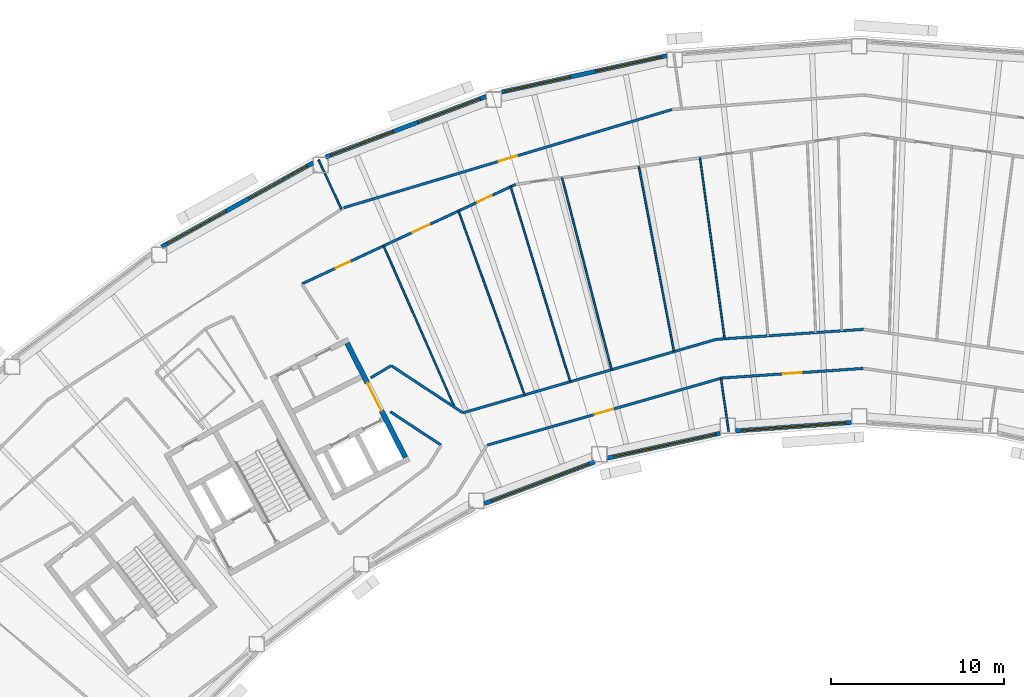
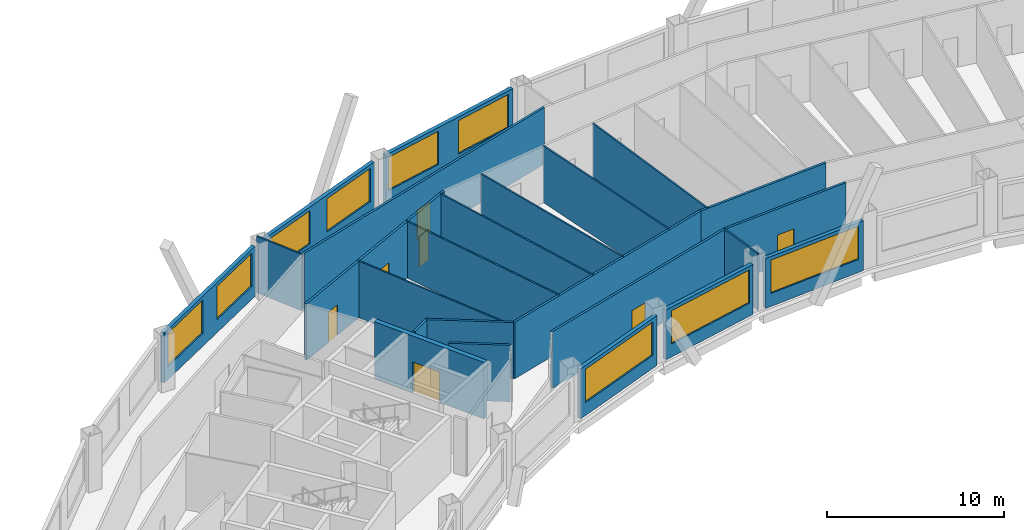
# One storey, part 7 of 14: 24 walls, 9 windows, 7 doors, 16 openings.
"""IFC4 building model written with IfcOpenShell, lengths in metres."""

from ifc_helpers import new_model, si_unit, direction, frame, frame_2d, origin, place, context, subcontext, project, spatial, rectangle, extrude, material, layer, layer_set, type_object, element, fill, save


model = new_model("IFC4")

# Units and contexts
model_context = context("Model", 3, precision=1e-05, world=origin(), true_north=direction((0.0, 1.0)))
body_context = subcontext(model_context, "Body", "Model", "MODEL_VIEW")
ifc_project = project(units=[si_unit("LENGTHUNIT", "METRE"), si_unit("AREAUNIT", "SQUARE_METRE"), si_unit("VOLUMEUNIT", "CUBIC_METRE"), si_unit("PLANEANGLEUNIT", "RADIAN"), si_unit("MASSUNIT", "GRAM", prefix="KILO")], contexts=[model_context])

# Site, building, storey
site_placement = place(None, origin())
site = spatial("IfcSite", under=ifc_project, at=site_placement, CompositionType="ELEMENT")
building_placement = place(site_placement, origin())
building = spatial("IfcBuilding", under=site, at=building_placement, Name="Tuul Gate Civic Tower", CompositionType="ELEMENT")
storey_placement = place(building_placement, frame((0.0, 0.0, 217.89990234375)))
storey = spatial("IfcBuildingStorey", under=building, at=storey_placement, Name="Level 49", CompositionType="ELEMENT", Elevation=217.89990234375)

# Wall, opening, door
ifc_material_1 = material(Name="Gypsum board partition")
ifc_layer_1 = layer(ifc_material_1, 0.14990234375)
ifc_layer_set_1 = layer_set([ifc_layer_1], Name="Gypsum board partition")
wall_type_1 = type_object("IfcWallType", Name="Corridor wall P150", PredefinedType="PARTITIONING", material=ifc_layer_set_1)
wall_1_placement = place(storey_placement, frame((-23.810302734375, 9.249267578125, 0.0), z_axis=(0.0, 0.0, 1.0), x_axis=(0.958034617298, 0.286652528436, 0.0)))
wall_1 = element("IfcWall", 1, at=wall_1_placement, inside=storey, type_object=wall_type_1, Name="p013", PredefinedType="PARTITIONING", context=body_context, shape_type="SweptSolid", body=[
    extrude(rectangle(XDim=19.77978515625, YDim=0.14990234375, at=frame_2d((9.889892578125, 0.0))), origin(), (0.0, 0.0, 1.0), 3.900146484375),
])
opening_1_placement = place(wall_1_placement, frame((9.33984375, 0.0, 0.0)))
opening_1 = element("IfcOpeningElement", 2, at=opening_1_placement, cuts=wall_1, Name="Opening R-D04", PredefinedType="OPENING", context=body_context, shape_type="SweptSolid", body=[
    extrude(rectangle(XDim=1.10009765625, YDim=2.10009765625, at=frame_2d((0.550048828125, 1.050048828125))), frame((0.0, 0.0849609375, 0.0), z_axis=(0.0, -1.0, 0.0), x_axis=(1.0, 0.0, 0.0)), (0.0, 0.0, 1.0), 0.169921875),
])
ifc_material_2 = material(Name="Timber door leaf", Category="wood")
door_type_1 = type_object("IfcDoorType", Name="Door D11", OperationType="NOTDEFINED", PredefinedType="DOOR", material=ifc_material_2)
door_1_placement = place(opening_1_placement, origin())
door_1 = element("IfcDoor", 3, at=door_1_placement, inside=storey, type_object=door_type_1, Name="Door R-D04", OperationType="SINGLE_SWING_RIGHT", OverallHeight=2.10009765625, OverallWidth=1.10009765625, PredefinedType="DOOR", context=body_context, shape_type="SweptSolid", body=[
    extrude(rectangle(XDim=1.10009765625, YDim=2.10009765625, at=frame_2d((0.550048828125, 1.050048828125))), frame((0.0, 0.02490234375, 0.0), z_axis=(0.0, -1.0, 0.0), x_axis=(1.0, 0.0, 0.0)), (0.0, 0.0, 1.0), 0.050048828125),
])
fill(opening_1, door_1)

wall_2_placement = place(storey_placement, frame((-15.534912109375, -4.460205078125, 0.0), z_axis=(0.0, 0.0, 1.0), x_axis=(0.961375307867, 0.275240835311, 0.0)))
wall_2 = element("IfcWall", 4, at=wall_2_placement, inside=storey, type_object=wall_type_1, Name="p037", PredefinedType="PARTITIONING", context=body_context, shape_type="SweptSolid", body=[
    extrude(rectangle(XDim=14.0830078125, YDim=0.14990234375, at=frame_2d((7.04150390625, 0.0))), origin(), (0.0, 0.0, 1.0), 3.900146484375),
])
opening_2_placement = place(wall_2_placement, frame((6.47265625, 0.0, 0.0)))
opening_2 = element("IfcOpeningElement", 5, at=opening_2_placement, cuts=wall_2, Name="Opening R-D10", PredefinedType="OPENING", context=body_context, shape_type="SweptSolid", body=[
    extrude(rectangle(XDim=1.10009765625, YDim=2.10009765625, at=frame_2d((0.550048828125, 1.050048828125))), frame((0.0, 0.0849609375, 0.0), z_axis=(0.0, -1.0, 0.0), x_axis=(1.0, 0.0, 0.0)), (0.0, 0.0, 1.0), 0.169921875),
])
door_2_placement = place(opening_2_placement, frame((1.10009765625, 0.0, 0.0), z_axis=(0.0, 0.0, 1.0), x_axis=(-1.0, 0.0, 0.0)))
door_2 = element("IfcDoor", 6, at=door_2_placement, inside=storey, type_object=door_type_1, Name="Door R-D10", OperationType="SINGLE_SWING_LEFT", OverallHeight=2.10009765625, OverallWidth=1.10009765625, PredefinedType="DOOR", context=body_context, shape_type="SweptSolid", body=[
    extrude(rectangle(XDim=1.10009765625, YDim=2.10009765625, at=frame_2d((0.550048828125, 1.050048828125))), frame((0.0, 0.02490234375, 0.0), z_axis=(0.0, -1.0, 0.0), x_axis=(1.0, 0.0, 0.0)), (0.0, 0.0, 1.0), 0.050048828125),
])
fill(opening_2, door_2)

wall_3_placement = place(storey_placement, frame((-1.990478515625, -0.5830078125, 0.0), z_axis=(0.0, 0.0, 1.0), x_axis=(0.997683646703, 0.068024562484, 0.0)))
wall_3 = element("IfcWall", 7, at=wall_3_placement, inside=storey, type_object=wall_type_1, Name="p038", PredefinedType="PARTITIONING", context=body_context, shape_type="SweptSolid", body=[
    extrude(rectangle(XDim=8.190185546875, YDim=0.14990234375, at=frame_2d((4.09521484375, 0.0))), origin(), (0.0, 0.0, 1.0), 3.900146484375),
])
opening_3_placement = place(wall_3_placement, frame((3.545166015625, 0.0, 0.0)))
opening_3 = element("IfcOpeningElement", 8, at=opening_3_placement, cuts=wall_3, Name="Opening R-D09", PredefinedType="OPENING", context=body_context, shape_type="SweptSolid", body=[
    extrude(rectangle(XDim=1.10009765625, YDim=2.10009765625, at=frame_2d((0.550048828125, 1.050048828125))), frame((0.0, 0.0849609375, 0.0), z_axis=(0.0, -1.0, 0.0), x_axis=(1.0, 0.0, 0.0)), (0.0, 0.0, 1.0), 0.169921875),
])
door_3_placement = place(opening_3_placement, frame((1.10009765625, 0.0, 0.0), z_axis=(0.0, 0.0, 1.0), x_axis=(-1.0, 0.0, 0.0)))
door_3 = element("IfcDoor", 9, at=door_3_placement, inside=storey, type_object=door_type_1, Name="Door R-D09", OperationType="SINGLE_SWING_LEFT", OverallHeight=2.10009765625, OverallWidth=1.10009765625, PredefinedType="DOOR", context=body_context, shape_type="SweptSolid", body=[
    extrude(rectangle(XDim=1.10009765625, YDim=2.10009765625, at=frame_2d((0.550048828125, 1.050048828125))), frame((0.0, 0.02490234375, 0.0), z_axis=(0.0, -1.0, 0.0), x_axis=(1.0, 0.0, 0.0)), (0.0, 0.0, 1.0), 0.050048828125),
])
fill(opening_3, door_3)

# Walls
wall_4_placement = place(storey_placement, frame((-2.315185546875, 1.650146484375, 0.0), z_axis=(0.0, 0.0, 1.0), x_axis=(0.997686740479, 0.067979172342, 0.0)))
element("IfcWall", 10, at=wall_4_placement, inside=storey, type_object=wall_type_1, Name="p074", PredefinedType="PARTITIONING", context=body_context, shape_type="SweptSolid", body=[
    extrude(rectangle(XDim=8.5224609375, YDim=0.14990234375, at=frame_2d((4.26123046875, 0.0))), origin(), (0.0, 0.0, 1.0), 3.900146484375),
])
wall_5_placement = place(storey_placement, frame((-16.918212890625, -2.5888671875, 0.0), z_axis=(0.0, 0.0, 1.0), x_axis=(0.960351912949, 0.278790608334, 0.0)))
element("IfcWall", 11, at=wall_5_placement, inside=storey, type_object=wall_type_1, Name="p079", PredefinedType="PARTITIONING", context=body_context, shape_type="SweptSolid", body=[
    extrude(rectangle(XDim=15.2041015625, YDim=0.14990234375, at=frame_2d((7.60205078125, 0.0))), origin(), (0.0, 0.0, 1.0), 3.900146484375),
])

# Wall, openings, doors
wall_6_placement = place(storey_placement, frame((-26.212646484375, 4.8583984375, 0.0), z_axis=(0.0, 0.0, 1.0), x_axis=(0.906577439331, 0.422039508218, 0.0)))
wall_6 = element("IfcWall", 12, at=wall_6_placement, inside=storey, type_object=wall_type_1, Name="p083", PredefinedType="PARTITIONING", context=body_context, shape_type="SweptSolid", body=[
    extrude(rectangle(XDim=13.590087890625, YDim=0.14990234375, at=frame_2d((6.794921875, 0.0))), origin(), (0.0, 0.0, 1.0), 3.900146484375),
])
opening_4_placement = place(wall_6_placement, frame((11.169921875, 0.0, 0.0)))
opening_4 = element("IfcOpeningElement", 13, at=opening_4_placement, cuts=wall_6, Name="Opening R-D31", PredefinedType="OPENING", context=body_context, shape_type="SweptSolid", body=[
    extrude(rectangle(XDim=0.89990234375, YDim=2.10009765625, at=frame_2d((0.449951171875, 1.050048828125))), frame((0.0, 0.0849609375, 0.0), z_axis=(0.0, -1.0, 0.0), x_axis=(1.0, 0.0, 0.0)), (0.0, 0.0, 1.0), 0.169921875),
])
opening_5_placement = place(wall_6_placement, frame((7.025390625, 0.0, 0.0)))
opening_5 = element("IfcOpeningElement", 14, at=opening_5_placement, cuts=wall_6, Name="Opening R-D32", PredefinedType="OPENING", context=body_context, shape_type="SweptSolid", body=[
    extrude(rectangle(XDim=1.10009765625, YDim=2.10009765625, at=frame_2d((0.550048828125, 1.050048828125))), frame((0.0, 0.0849609375, 0.0), z_axis=(0.0, -1.0, 0.0), x_axis=(1.0, 0.0, 0.0)), (0.0, 0.0, 1.0), 0.169921875),
])
opening_6_placement = place(wall_6_placement, frame((2.144287109375, 0.0, 0.0)))
opening_6 = element("IfcOpeningElement", 15, at=opening_6_placement, cuts=wall_6, Name="Opening R-D33", PredefinedType="OPENING", context=body_context, shape_type="SweptSolid", body=[
    extrude(rectangle(XDim=0.89990234375, YDim=2.10009765625, at=frame_2d((0.449951171875, 1.050048828125))), frame((0.0, 0.0849609375, 0.0), z_axis=(0.0, -1.0, 0.0), x_axis=(1.0, 0.0, 0.0)), (0.0, 0.0, 1.0), 0.169921875),
])
ifc_material_3 = material(Name="Timber door leaf", Category="wood")
door_type_2 = type_object("IfcDoorType", Name="Door D09", OperationType="NOTDEFINED", PredefinedType="DOOR", material=ifc_material_3)
door_4_placement = place(opening_4_placement, frame((0.89990234375, 0.0, 0.0), z_axis=(0.0, 0.0, 1.0), x_axis=(-1.0, 0.0, 0.0)))
door_4 = element("IfcDoor", 16, at=door_4_placement, inside=storey, type_object=door_type_2, Name="Door R-D31", OperationType="SINGLE_SWING_LEFT", OverallHeight=2.10009765625, OverallWidth=0.89990234375, PredefinedType="DOOR", context=body_context, shape_type="SweptSolid", body=[
    extrude(rectangle(XDim=0.89990234375, YDim=2.10009765625, at=frame_2d((0.449951171875, 1.050048828125))), frame((0.0, 0.02490234375, 0.0), z_axis=(0.0, -1.0, 0.0), x_axis=(1.0, 0.0, 0.0)), (0.0, 0.0, 1.0), 0.050048828125),
])
fill(opening_4, door_4)
door_5_placement = place(opening_6_placement, frame((0.89990234375, 0.0, 0.0), z_axis=(0.0, 0.0, 1.0), x_axis=(-1.0, 0.0, 0.0)))
door_5 = element("IfcDoor", 17, at=door_5_placement, inside=storey, type_object=door_type_2, Name="Door R-D33", OperationType="SINGLE_SWING_LEFT", OverallHeight=2.10009765625, OverallWidth=0.89990234375, PredefinedType="DOOR", context=body_context, shape_type="SweptSolid", body=[
    extrude(rectangle(XDim=0.89990234375, YDim=2.10009765625, at=frame_2d((0.449951171875, 1.050048828125))), frame((0.0, 0.02490234375, 0.0), z_axis=(0.0, -1.0, 0.0), x_axis=(1.0, 0.0, 0.0)), (0.0, 0.0, 1.0), 0.050048828125),
])
fill(opening_6, door_5)
door_6_placement = place(opening_5_placement, frame((1.10009765625, 0.0, 0.0), z_axis=(0.0, 0.0, 1.0), x_axis=(-1.0, 0.0, 0.0)))
door_6 = element("IfcDoor", 18, at=door_6_placement, inside=storey, type_object=door_type_1, Name="Door R-D32", OperationType="SINGLE_SWING_LEFT", OverallHeight=2.10009765625, OverallWidth=1.10009765625, PredefinedType="DOOR", context=body_context, shape_type="SweptSolid", body=[
    extrude(rectangle(XDim=1.10009765625, YDim=2.10009765625, at=frame_2d((0.550048828125, 1.050048828125))), frame((0.0, 0.02490234375, 0.0), z_axis=(0.0, -1.0, 0.0), x_axis=(1.0, 0.0, 0.0)), (0.0, 0.0, 1.0), 0.050048828125),
])
fill(opening_5, door_6)

# Walls
wall_7_placement = place(storey_placement, frame((-21.06689453125, 0.133544921875, 0.0), z_axis=(0.0, 0.0, 1.0), x_axis=(0.8355255713, -0.549451562655, 0.0)))
element("IfcWall", 19, at=wall_7_placement, inside=storey, type_object=wall_type_1, Name="p086", PredefinedType="PARTITIONING", context=body_context, shape_type="SweptSolid", body=[
    extrude(rectangle(XDim=4.947998046875, YDim=0.14990234375, at=frame_2d((2.47412109375, 0.0))), origin(), (0.0, 0.0, 1.0), 3.900146484375),
])
wall_8_placement = place(storey_placement, frame((-22.254150390625, -0.57275390625, 0.0), z_axis=(0.0, 0.0, 1.0), x_axis=(0.859111470211, 0.511788512719, 0.0)))
element("IfcWall", 20, at=wall_8_placement, inside=storey, type_object=wall_type_1, Name="p088", PredefinedType="PARTITIONING", context=body_context, shape_type="SweptSolid", body=[
    extrude(rectangle(XDim=1.380615234375, YDim=0.14990234375, at=frame_2d((0.6904296875, 0.0))), origin(), (0.0, 0.0, 1.0), 3.900146484375),
])
wall_9_placement = place(storey_placement, frame((-21.115478515625, -2.527099609375, 0.0), z_axis=(0.0, 0.0, 1.0), x_axis=(0.835481377366, -0.54951876044, 0.0)))
element("IfcWall", 21, at=wall_9_placement, inside=storey, type_object=wall_type_1, Name="p093", PredefinedType="PARTITIONING", context=body_context, shape_type="SweptSolid", body=[
    extrude(rectangle(XDim=3.48681640625, YDim=0.14990234375, at=frame_2d((1.743408203125, 0.0))), origin(), (0.0, 0.0, 1.0), 3.900146484375),
])

# Wall, openings, windows
ifc_material_4 = material(Name="Precast concrete C40/50", Category="concrete")
ifc_layer_2 = layer(ifc_material_4, 0.25)
ifc_layer_set_2 = layer_set([ifc_layer_2], Name="Precast concrete C40/50")
wall_type_2 = type_object("IfcWallType", Name="External wall", PredefinedType="STANDARD", material=ifc_layer_set_2)
wall_10_placement = place(storey_placement, frame((-5.159912109375, 18.027099609375, 0.0), z_axis=(0.0, 0.0, 1.0), x_axis=(-0.976565945411, -0.215218387375, 0.0)))
wall_10 = element("IfcWall", 22, at=wall_10_placement, inside=storey, type_object=wall_type_2, Name="External wall", PredefinedType="STANDARD", context=body_context, shape_type="SweptSolid", body=[
    extrude(rectangle(XDim=9.755615234375, YDim=0.25, at=frame_2d((4.8779296875, 0.0))), origin(), (0.0, 0.0, 1.0), 3.4501953125),
])
opening_7_placement = place(wall_10_placement, frame((0.3388671875, 0.0, 0.89990234375)))
opening_7 = element("IfcOpeningElement", 23, at=opening_7_placement, cuts=wall_10, Name="Opening W22", PredefinedType="OPENING", context=body_context, shape_type="SweptSolid", body=[
    extrude(rectangle(XDim=3.85009765625, YDim=2.300048828125, at=frame_2d((1.925048828125, 1.14990234375))), frame((0.0, 0.135009765625, 0.0), z_axis=(0.0, -1.0, 0.0), x_axis=(1.0, 0.0, 0.0)), (0.0, 0.0, 1.0), 0.27001953125),
])
opening_8_placement = place(wall_10_placement, frame((5.710205078125, 0.0, 0.89990234375)))
opening_8 = element("IfcOpeningElement", 24, at=opening_8_placement, cuts=wall_10, Name="Opening W22", PredefinedType="OPENING", context=body_context, shape_type="SweptSolid", body=[
    extrude(rectangle(XDim=3.85009765625, YDim=2.300048828125, at=frame_2d((1.925048828125, 1.14990234375))), frame((0.0, 0.135009765625, 0.0), z_axis=(0.0, -1.0, 0.0), x_axis=(1.0, 0.0, 0.0)), (0.0, 0.0, 1.0), 0.27001953125),
])
ifc_material_5 = material(Name="Glass", Category="glass")
window_type_1 = type_object("IfcWindowType", Name="Window W22 3850 x 2300", PartitioningType="SINGLE_PANEL", PredefinedType="WINDOW", material=ifc_material_5)
window_1_placement = place(opening_7_placement, origin())
window_1 = element("IfcWindow", 25, at=window_1_placement, inside=storey, type_object=window_type_1, Name="Window", OverallHeight=2.300048828125, OverallWidth=3.85009765625, PartitioningType="SINGLE_PANEL", PredefinedType="WINDOW", context=body_context, shape_type="SweptSolid", body=[
    extrude(rectangle(XDim=3.85009765625, YDim=2.300048828125, at=frame_2d((1.925048828125, 1.14990234375))), frame((0.0, 0.030029296875, 0.0), z_axis=(0.0, -1.0, 0.0), x_axis=(1.0, 0.0, 0.0)), (0.0, 0.0, 1.0), 0.06005859375),
])
fill(opening_7, window_1)
window_2_placement = place(opening_8_placement, origin())
window_2 = element("IfcWindow", 26, at=window_2_placement, inside=storey, type_object=window_type_1, Name="Window", OverallHeight=2.300048828125, OverallWidth=3.85009765625, PartitioningType="SINGLE_PANEL", PredefinedType="WINDOW", context=body_context, shape_type="SweptSolid", body=[
    extrude(rectangle(XDim=3.85009765625, YDim=2.300048828125, at=frame_2d((1.925048828125, 1.14990234375))), frame((0.0, 0.030029296875, 0.0), z_axis=(0.0, -1.0, 0.0), x_axis=(1.0, 0.0, 0.0)), (0.0, 0.0, 1.0), 0.06005859375),
])
fill(opening_8, window_2)

wall_11_placement = place(storey_placement, frame((-15.5869140625, 15.673095703125, 0.0), z_axis=(0.0, 0.0, 1.0), x_axis=(-0.935372856453, -0.353663143981, 0.0)))
wall_11 = element("IfcWall", 27, at=wall_11_placement, inside=storey, type_object=wall_type_2, Name="External wall", PredefinedType="STANDARD", context=body_context, shape_type="SweptSolid", body=[
    extrude(rectangle(XDim=9.908203125, YDim=0.25, at=frame_2d((4.9541015625, 0.0))), origin(), (0.0, 0.0, 1.0), 3.4501953125),
])
opening_9_placement = place(wall_11_placement, frame((0.3701171875, 0.0, 0.89990234375)))
opening_9 = element("IfcOpeningElement", 28, at=opening_9_placement, cuts=wall_11, Name="Opening W22", PredefinedType="OPENING", context=body_context, shape_type="SweptSolid", body=[
    extrude(rectangle(XDim=3.85009765625, YDim=2.300048828125, at=frame_2d((1.925048828125, 1.14990234375))), frame((0.0, 0.135009765625, 0.0), z_axis=(0.0, -1.0, 0.0), x_axis=(1.0, 0.0, 0.0)), (0.0, 0.0, 1.0), 0.27001953125),
])
opening_10_placement = place(wall_11_placement, frame((5.7412109375, 0.0, 0.89990234375)))
opening_10 = element("IfcOpeningElement", 29, at=opening_10_placement, cuts=wall_11, Name="Opening W22", PredefinedType="OPENING", context=body_context, shape_type="SweptSolid", body=[
    extrude(rectangle(XDim=3.85009765625, YDim=2.300048828125, at=frame_2d((1.925048828125, 1.14990234375))), frame((0.0, 0.135009765625, 0.0), z_axis=(0.0, -1.0, 0.0), x_axis=(1.0, 0.0, 0.0)), (0.0, 0.0, 1.0), 0.27001953125),
])
window_3_placement = place(opening_9_placement, origin())
window_3 = element("IfcWindow", 30, at=window_3_placement, inside=storey, type_object=window_type_1, Name="Window", OverallHeight=2.300048828125, OverallWidth=3.85009765625, PartitioningType="SINGLE_PANEL", PredefinedType="WINDOW", context=body_context, shape_type="SweptSolid", body=[
    extrude(rectangle(XDim=3.85009765625, YDim=2.300048828125, at=frame_2d((1.925048828125, 1.14990234375))), frame((0.0, 0.030029296875, 0.0), z_axis=(0.0, -1.0, 0.0), x_axis=(1.0, 0.0, 0.0)), (0.0, 0.0, 1.0), 0.06005859375),
])
fill(opening_9, window_3)
window_4_placement = place(opening_10_placement, origin())
window_4 = element("IfcWindow", 31, at=window_4_placement, inside=storey, type_object=window_type_1, Name="Window", OverallHeight=2.300048828125, OverallWidth=3.85009765625, PartitioningType="SINGLE_PANEL", PredefinedType="WINDOW", context=body_context, shape_type="SweptSolid", body=[
    extrude(rectangle(XDim=3.85009765625, YDim=2.300048828125, at=frame_2d((1.925048828125, 1.14990234375))), frame((0.0, 0.030029296875, 0.0), z_axis=(0.0, -1.0, 0.0), x_axis=(1.0, 0.0, 0.0)), (0.0, 0.0, 1.0), 0.06005859375),
])
fill(opening_10, window_4)

wall_12_placement = place(storey_placement, frame((-25.573974609375, 11.842041015625, 0.0), z_axis=(0.0, 0.0, 1.0), x_axis=(-0.87460251425, -0.484840635743, 0.0)))
wall_12 = element("IfcWall", 32, at=wall_12_placement, inside=storey, type_object=wall_type_2, Name="External wall", PredefinedType="STANDARD", context=body_context, shape_type="SweptSolid", body=[
    extrude(rectangle(XDim=10.00146484375, YDim=0.25, at=frame_2d((5.000732421875, 0.0))), origin(), (0.0, 0.0, 1.0), 3.4501953125),
])
opening_11_placement = place(wall_12_placement, frame((0.393798828125, 0.0, 0.89990234375)))
opening_11 = element("IfcOpeningElement", 33, at=opening_11_placement, cuts=wall_12, Name="Opening W22", PredefinedType="OPENING", context=body_context, shape_type="SweptSolid", body=[
    extrude(rectangle(XDim=3.85009765625, YDim=2.300048828125, at=frame_2d((1.925048828125, 1.14990234375))), frame((0.0, 0.135009765625, 0.0), z_axis=(0.0, -1.0, 0.0), x_axis=(1.0, 0.0, 0.0)), (0.0, 0.0, 1.0), 0.27001953125),
])
opening_12_placement = place(wall_12_placement, frame((5.764892578125, 0.0, 0.89990234375)))
opening_12 = element("IfcOpeningElement", 34, at=opening_12_placement, cuts=wall_12, Name="Opening W22", PredefinedType="OPENING", context=body_context, shape_type="SweptSolid", body=[
    extrude(rectangle(XDim=3.85009765625, YDim=2.300048828125, at=frame_2d((1.925048828125, 1.14990234375))), frame((0.0, 0.135009765625, 0.0), z_axis=(0.0, -1.0, 0.0), x_axis=(1.0, 0.0, 0.0)), (0.0, 0.0, 1.0), 0.27001953125),
])
window_5_placement = place(opening_11_placement, origin())
window_5 = element("IfcWindow", 35, at=window_5_placement, inside=storey, type_object=window_type_1, Name="Window", OverallHeight=2.300048828125, OverallWidth=3.85009765625, PartitioningType="SINGLE_PANEL", PredefinedType="WINDOW", context=body_context, shape_type="SweptSolid", body=[
    extrude(rectangle(XDim=3.85009765625, YDim=2.300048828125, at=frame_2d((1.925048828125, 1.14990234375))), frame((0.0, 0.030029296875, 0.0), z_axis=(0.0, -1.0, 0.0), x_axis=(1.0, 0.0, 0.0)), (0.0, 0.0, 1.0), 0.06005859375),
])
fill(opening_11, window_5)
window_6_placement = place(opening_12_placement, origin())
window_6 = element("IfcWindow", 36, at=window_6_placement, inside=storey, type_object=window_type_1, Name="Window", OverallHeight=2.300048828125, OverallWidth=3.85009765625, PartitioningType="SINGLE_PANEL", PredefinedType="WINDOW", context=body_context, shape_type="SweptSolid", body=[
    extrude(rectangle(XDim=3.85009765625, YDim=2.300048828125, at=frame_2d((1.925048828125, 1.14990234375))), frame((0.0, 0.030029296875, 0.0), z_axis=(0.0, -1.0, 0.0), x_axis=(1.0, 0.0, 0.0)), (0.0, 0.0, 1.0), 0.06005859375),
])
fill(opening_12, window_6)

# Wall, opening, window
wall_13_placement = place(storey_placement, frame((-15.697021484375, -7.8349609375, 0.0), z_axis=(0.0, 0.0, 1.0), x_axis=(0.935372377576, 0.35366441052, 0.0)))
wall_13 = element("IfcWall", 37, at=wall_13_placement, inside=storey, type_object=wall_type_2, Name="External wall", PredefinedType="STANDARD", context=body_context, shape_type="SweptSolid", body=[
    extrude(rectangle(XDim=6.819580078125, YDim=0.25, at=frame_2d((3.40966796875, 0.0))), origin(), (0.0, 0.0, 1.0), 3.4501953125),
])
opening_13_placement = place(wall_13_placement, frame((0.43798828125, 0.0, 0.89990234375)))
opening_13 = element("IfcOpeningElement", 38, at=opening_13_placement, cuts=wall_13, Name="Opening W26", PredefinedType="OPENING", context=body_context, shape_type="SweptSolid", body=[
    extrude(rectangle(XDim=6.0, YDim=2.300048828125, at=frame_2d((3.0, 1.14990234375))), frame((0.0, 0.135009765625, 0.0), z_axis=(0.0, -1.0, 0.0), x_axis=(1.0, 0.0, 0.0)), (0.0, 0.0, 1.0), 0.27001953125),
])
ifc_material_6 = material(Name="Glass", Category="glass")
window_type_2 = type_object("IfcWindowType", Name="Window W26 6000 x 2300", PartitioningType="SINGLE_PANEL", PredefinedType="WINDOW", material=ifc_material_6)
window_7_placement = place(opening_13_placement, origin())
window_7 = element("IfcWindow", 39, at=window_7_placement, inside=storey, type_object=window_type_2, Name="Window", OverallHeight=2.300048828125, OverallWidth=6.0, PartitioningType="SINGLE_PANEL", PredefinedType="WINDOW", context=body_context, shape_type="SweptSolid", body=[
    extrude(rectangle(XDim=6.0, YDim=2.300048828125, at=frame_2d((3.0, 1.14990234375))), frame((0.0, 0.030029296875, 0.0), z_axis=(0.0, -1.0, 0.0), x_axis=(1.0, 0.0, 0.0)), (0.0, 0.0, 1.0), 0.06005859375),
])
fill(opening_13, window_7)

wall_14_placement = place(storey_placement, frame((-8.595947265625, -5.206298828125, 0.0), z_axis=(0.0, 0.0, 1.0), x_axis=(0.976558520258, 0.21525207667, 0.0)))
wall_14 = element("IfcWall", 40, at=wall_14_placement, inside=storey, type_object=wall_type_2, Name="External wall", PredefinedType="STANDARD", context=body_context, shape_type="SweptSolid", body=[
    extrude(rectangle(XDim=6.670166015625, YDim=0.25, at=frame_2d((3.3349609375, 0.0))), origin(), (0.0, 0.0, 1.0), 3.4501953125),
])
opening_14_placement = place(wall_14_placement, frame((0.406982421875, 0.0, 0.89990234375)))
opening_14 = element("IfcOpeningElement", 41, at=opening_14_placement, cuts=wall_14, Name="Opening W26", PredefinedType="OPENING", context=body_context, shape_type="SweptSolid", body=[
    extrude(rectangle(XDim=6.0, YDim=2.300048828125, at=frame_2d((3.0, 1.14990234375))), frame((0.0, 0.135009765625, 0.0), z_axis=(0.0, -1.0, 0.0), x_axis=(1.0, 0.0, 0.0)), (0.0, 0.0, 1.0), 0.27001953125),
])
window_8_placement = place(opening_14_placement, origin())
window_8 = element("IfcWindow", 42, at=window_8_placement, inside=storey, type_object=window_type_2, Name="Window", OverallHeight=2.300048828125, OverallWidth=6.0, PartitioningType="SINGLE_PANEL", PredefinedType="WINDOW", context=body_context, shape_type="SweptSolid", body=[
    extrude(rectangle(XDim=6.0, YDim=2.300048828125, at=frame_2d((3.0, 1.14990234375))), frame((0.0, 0.030029296875, 0.0), z_axis=(0.0, -1.0, 0.0), x_axis=(1.0, 0.0, 0.0)), (0.0, 0.0, 1.0), 0.06005859375),
])
fill(opening_14, window_8)

wall_15_placement = place(storey_placement, frame((-1.181884765625, -3.6318359375, 0.0), z_axis=(0.0, 0.0, 1.0), x_axis=(0.997393444125, 0.072154817002, 0.0)))
wall_15 = element("IfcWall", 43, at=wall_15_placement, inside=storey, type_object=wall_type_2, Name="External wall", PredefinedType="STANDARD", context=body_context, shape_type="SweptSolid", body=[
    extrude(rectangle(XDim=6.689208984375, YDim=0.25, at=frame_2d((3.3447265625, 0.0))), origin(), (0.0, 0.0, 1.0), 3.4501953125),
])
opening_15_placement = place(wall_15_placement, frame((0.3681640625, 0.0, 0.89990234375)))
opening_15 = element("IfcOpeningElement", 44, at=opening_15_placement, cuts=wall_15, Name="Opening W26", PredefinedType="OPENING", context=body_context, shape_type="SweptSolid", body=[
    extrude(rectangle(XDim=6.0, YDim=2.300048828125, at=frame_2d((3.0, 1.14990234375))), frame((0.0, 0.135009765625, 0.0), z_axis=(0.0, -1.0, 0.0), x_axis=(1.0, 0.0, 0.0)), (0.0, 0.0, 1.0), 0.27001953125),
])
window_9_placement = place(opening_15_placement, origin())
window_9 = element("IfcWindow", 45, at=window_9_placement, inside=storey, type_object=window_type_2, Name="Window", OverallHeight=2.300048828125, OverallWidth=6.0, PartitioningType="SINGLE_PANEL", PredefinedType="WINDOW", context=body_context, shape_type="SweptSolid", body=[
    extrude(rectangle(XDim=6.0, YDim=2.300048828125, at=frame_2d((3.0, 1.14990234375))), frame((0.0, 0.030029296875, 0.0), z_axis=(0.0, -1.0, 0.0), x_axis=(1.0, 0.0, 0.0)), (0.0, 0.0, 1.0), 0.06005859375),
])
fill(opening_15, window_9)

# Wall, opening, door
ifc_material_7 = material(Name="Concrete C40/50", Category="concrete")
ifc_layer_3 = layer(ifc_material_7, 0.300048828125)
ifc_layer_set_3 = layer_set([ifc_layer_3], Name="Concrete C40/50")
wall_type_3 = type_object("IfcWallType", Name="Lift shaft wall C40/50", PredefinedType="STANDARD", material=ifc_layer_set_3)
wall_16_placement = place(storey_placement, frame((-20.2509765625, -5.166748046875, 0.0), z_axis=(0.0, 0.0, 1.0), x_axis=(-0.45401029361, 0.89099643843, 0.0)))
wall_16 = element("IfcWall", 46, at=wall_16_placement, inside=storey, type_object=wall_type_3, Name="Shaft wall", PredefinedType="STANDARD", context=body_context, shape_type="SweptSolid", body=[
    extrude(rectangle(XDim=7.39990234375, YDim=0.300048828125, at=frame_2d((3.699951171875, 0.0))), origin(), (0.0, 0.0, 1.0), 3.900146484375),
])
opening_16_placement = place(wall_16_placement, frame((3.02490234375, 0.0, 0.0)))
opening_16 = element("IfcOpeningElement", 47, at=opening_16_placement, cuts=wall_16, Name="Opening LB-W3-LOBBY-1", PredefinedType="OPENING", context=body_context, shape_type="SweptSolid", body=[
    extrude(rectangle(XDim=1.800048828125, YDim=2.10009765625, at=frame_2d((0.89990234375, 1.050048828125))), frame((0.0, 0.16015625, 0.0), z_axis=(0.0, -1.0, 0.0), x_axis=(1.0, 0.0, 0.0)), (0.0, 0.0, 1.0), 0.320068359375),
])
ifc_material_8 = material(Name="Steel", Category="steel")
door_type_3 = type_object("IfcDoorType", Name="Lobby door", OperationType="DOUBLE_DOOR_SINGLE_SWING", PredefinedType="DOOR", material=ifc_material_8)
door_7_placement = place(opening_16_placement, origin())
door_7 = element("IfcDoor", 48, at=door_7_placement, inside=storey, type_object=door_type_3, Name="Lobby door W3-LOBBY", OperationType="DOUBLE_DOOR_SINGLE_SWING", OverallHeight=2.10009765625, OverallWidth=1.800048828125, PredefinedType="DOOR", context=body_context, shape_type="SweptSolid", body=[
    extrude(rectangle(XDim=1.800048828125, YDim=2.10009765625, at=frame_2d((0.89990234375, 1.050048828125))), frame((0.0, 0.02490234375, 0.0), z_axis=(0.0, -1.0, 0.0), x_axis=(1.0, 0.0, 0.0)), (0.0, 0.0, 1.0), 0.050048828125),
])
fill(opening_16, door_7)

# Walls
ifc_material_9 = material(Name="Gypsum board partition")
ifc_layer_4 = layer(ifc_material_9, 0.10009765625)
ifc_layer_set_4 = layer_set([ifc_layer_4], Name="Gypsum board partition")
wall_type_4 = type_object("IfcWallType", Name="Partition P100", PredefinedType="PARTITIONING", material=ifc_layer_set_4)
wall_17_placement = place(storey_placement, frame((-2.031982421875, -0.59423828125, 0.0), z_axis=(0.0, 0.0, 1.0), x_axis=(0.144085481541, -0.989565244948, 0.0)))
element("IfcWall", 49, at=wall_17_placement, inside=storey, type_object=wall_type_4, Name="p007", PredefinedType="PARTITIONING", context=body_context, shape_type="SweptSolid", body=[
    extrude(rectangle(XDim=3.104248046875, YDim=0.10009765625, at=frame_2d((1.55224609375, 0.0))), origin(), (0.0, 0.0, 1.0), 3.900146484375),
])
wall_18_placement = place(storey_placement, frame((-25.26318359375, 12.02001953125, 0.0), z_axis=(0.0, 0.0, 1.0), x_axis=(0.420292759478, -0.907388558629, 0.0)))
element("IfcWall", 50, at=wall_18_placement, inside=storey, type_object=wall_type_4, Name="p012", PredefinedType="PARTITIONING", context=body_context, shape_type="SweptSolid", body=[
    extrude(rectangle(XDim=3.146728515625, YDim=0.10009765625, at=frame_2d((1.5732421875, 0.0))), origin(), (0.0, 0.0, 1.0), 3.900146484375),
])
wall_19_placement = place(storey_placement, frame((-3.2421875, 12.1337890625, 0.0), z_axis=(0.0, 0.0, 1.0), x_axis=(0.134845642687, -0.990866616982, 0.0)))
element("IfcWall", 51, at=wall_19_placement, inside=storey, type_object=wall_type_4, Name="p077", PredefinedType="PARTITIONING", context=body_context, shape_type="SweptSolid", body=[
    extrude(rectangle(XDim=10.54638671875, YDim=0.10009765625, at=frame_2d((5.273193359375, 0.0))), origin(), (0.0, 0.0, 1.0), 3.900146484375),
])
wall_20_placement = place(storey_placement, frame((-6.7724609375, 11.623779296875, 0.0), z_axis=(0.0, 0.0, 1.0), x_axis=(0.186517565251, -0.982451626215, 0.0)))
element("IfcWall", 52, at=wall_20_placement, inside=storey, type_object=wall_type_4, Name="p078", PredefinedType="PARTITIONING", context=body_context, shape_type="SweptSolid", body=[
    extrude(rectangle(XDim=10.869384765625, YDim=0.10009765625, at=frame_2d((5.4345703125, 0.0))), origin(), (0.0, 0.0, 1.0), 3.900146484375),
])
wall_21_placement = place(storey_placement, frame((-11.210693359375, 10.982421875, 0.0), z_axis=(0.0, 0.0, 1.0), x_axis=(0.250391438757, -0.968144683091, 0.0)))
element("IfcWall", 53, at=wall_21_placement, inside=storey, type_object=wall_type_4, Name="p080", PredefinedType="PARTITIONING", context=body_context, shape_type="SweptSolid", body=[
    extrude(rectangle(XDim=11.447021484375, YDim=0.10009765625, at=frame_2d((5.7236328125, 0.0))), origin(), (0.0, 0.0, 1.0), 3.900146484375),
])
wall_22_placement = place(storey_placement, frame((-14.17578125, 10.4619140625, 0.0), z_axis=(0.0, 0.0, 1.0), x_axis=(0.292369777264, -0.956305345244, 0.0)))
element("IfcWall", 54, at=wall_22_placement, inside=storey, type_object=wall_type_4, Name="p081", PredefinedType="PARTITIONING", context=body_context, shape_type="SweptSolid", body=[
    extrude(rectangle(XDim=11.769775390625, YDim=0.10009765625, at=frame_2d((5.884765625, 0.0))), origin(), (0.0, 0.0, 1.0), 3.900146484375),
])
wall_23_placement = place(storey_placement, frame((-17.180908203125, 9.06298828125, 0.0), z_axis=(0.0, 0.0, 1.0), x_axis=(0.337925686405, -0.941172795223, 0.0)))
element("IfcWall", 55, at=wall_23_placement, inside=storey, type_object=wall_type_4, Name="p084", PredefinedType="PARTITIONING", context=body_context, shape_type="SweptSolid", body=[
    extrude(rectangle(XDim=11.284912109375, YDim=0.10009765625, at=frame_2d((5.642578125, 0.0))), origin(), (0.0, 0.0, 1.0), 3.900146484375),
])
wall_24_placement = place(storey_placement, frame((-21.5087890625, 7.04833984375, 0.0), z_axis=(0.0, 0.0, 1.0), x_axis=(0.402754682229, -0.915307962351, 0.0)))
element("IfcWall", 56, at=wall_24_placement, inside=storey, type_object=wall_type_4, Name="p085", PredefinedType="PARTITIONING", context=body_context, shape_type="SweptSolid", body=[
    extrude(rectangle(XDim=10.183837890625, YDim=0.10009765625, at=frame_2d((5.091796875, 0.0))), origin(), (0.0, 0.0, 1.0), 3.900146484375),
])

save(model, "model.ifc")
